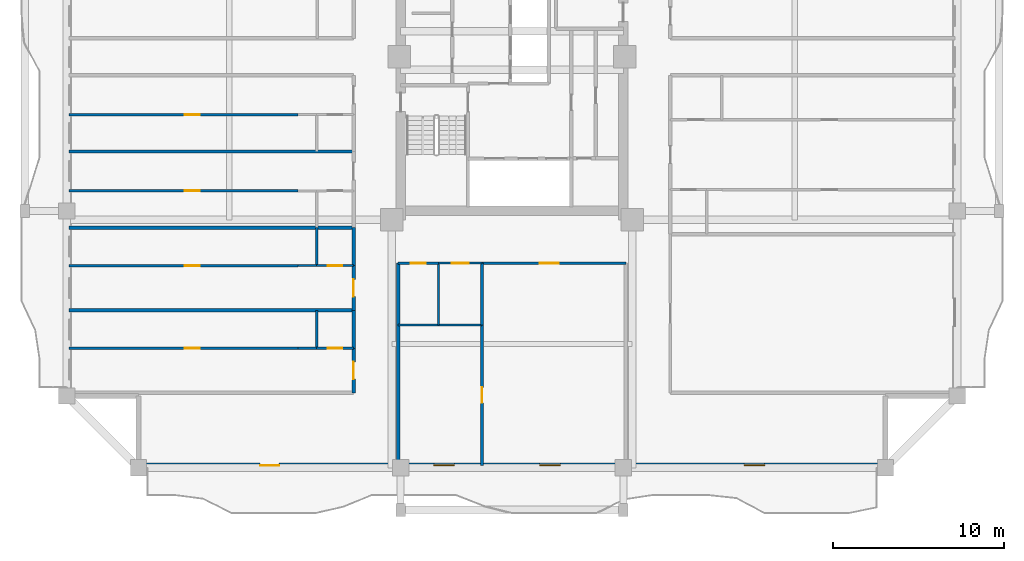
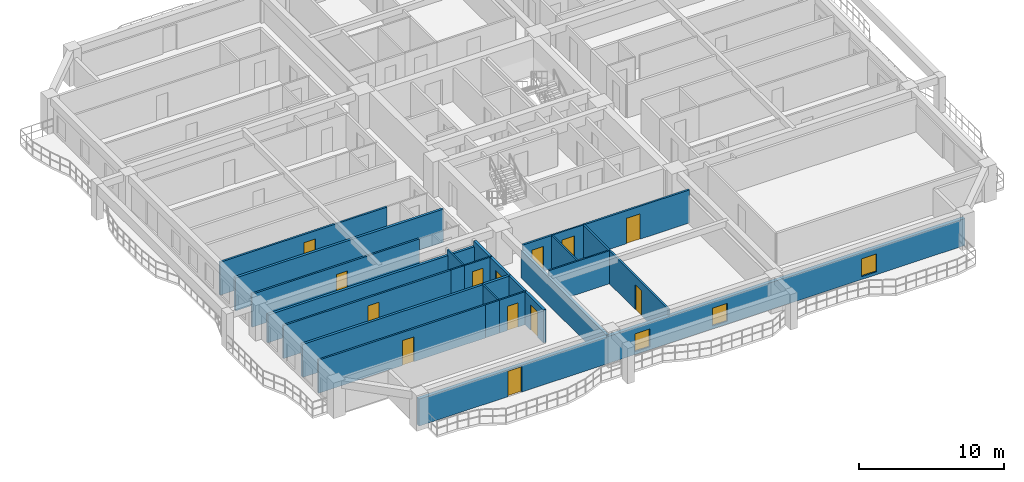
# One storey, part 2 of 13: 26 walls, 13 doors, 3 windows, 16 openings.
"""IFC4 building model written with IfcOpenShell, lengths in metres."""

import ifcopenshell
import ifcopenshell.guid

model = None  # the IFC model being written
_history = None  # IfcOwnerHistory: only IFC2X3 demands one
_inside = {}  # id of a spatial element -> (the spatial element, [elements in it])
_under = {}  # id of a project, library or spatial element -> (it, [spatial elements below it])
_declared = {}  # id of a project -> (the project, [libraries it declares])
_typed = {}  # id of a type object -> (the type object, [elements of that type])
_made_of = {}  # id of a material, layer set ... -> (it, [elements and type objects made of it])


def new_model(schema):
    """Start an empty IFC model of exactly this schema.

    Asked for "IFC4X3", IfcOpenShell would pick the latest addendum, in which some entities
    have other attributes; the version numbers below select the first issue.
    IFC2X3 requires an IfcOwnerHistory on every rooted entity: one is made here for all.
    """
    global model, _history
    if schema == "IFC4X3":
        model = ifcopenshell.file(schema_version=(4, 3, 0, 0))
    else:
        model = ifcopenshell.file(schema=schema)
    _inside.clear()
    _under.clear()
    _declared.clear()
    _typed.clear()
    _made_of.clear()
    _history = None
    if model.schema == "IFC2X3":
        org = make("IfcOrganization", Name="unknown")
        user = make(
            "IfcPersonAndOrganization",
            ThePerson=make("IfcPerson", FamilyName="unknown"),
            TheOrganization=org,
        )
        app = make(
            "IfcApplication",
            ApplicationDeveloper=org,
            Version="unknown",
            ApplicationFullName="unknown",
            ApplicationIdentifier="unknown",
        )
        _history = make(
            "IfcOwnerHistory",
            OwningUser=user,
            OwningApplication=app,
            ChangeAction="ADDED",
            CreationDate=0,
        )
    return model


def make(cls, **values):
    """One entity of the class cls with the attributes given. An attribute that is None is left unset."""
    return model.create_entity(
        cls, **{name: value for name, value in values.items() if value is not None}
    )


def rooted(cls, **values):
    """An entity with a GlobalId (a new one), such as an element, a storey or a relation."""
    return make(cls, GlobalId=ifcopenshell.guid.new(), OwnerHistory=_history, **values)


def si_unit(unit_type, name, prefix=None):
    """IfcSIUnit, for example si_unit("LENGTHUNIT", "METRE", prefix="MILLI")."""
    return make("IfcSIUnit", UnitType=unit_type, Prefix=prefix, Name=name)


def assignment(units):
    """IfcUnitAssignment: the units of a project."""
    return None if units is None else make("IfcUnitAssignment", Units=units)


def point(xyz):
    """IfcCartesianPoint."""
    return None if xyz is None else make("IfcCartesianPoint", Coordinates=xyz)


def direction(xyz):
    """IfcDirection."""
    return None if xyz is None else make("IfcDirection", DirectionRatios=xyz)


def frame(location, z_axis=None, x_axis=None):
    """IfcAxis2Placement3D, a coordinate frame: its origin and axes. An axis left out is left unset."""
    return make(
        "IfcAxis2Placement3D",
        Location=point(location),
        Axis=direction(z_axis),
        RefDirection=direction(x_axis),
    )


def frame_2d(location, x_axis=None):
    """IfcAxis2Placement2D, a coordinate frame in the plane: its origin and x axis."""
    return make(
        "IfcAxis2Placement2D", Location=point(location), RefDirection=direction(x_axis)
    )


def origin():
    """The frame at (0, 0, 0) with its axes left unset."""
    return frame((0.0, 0.0, 0.0))


def place(relative_to, where):
    """IfcLocalPlacement: puts the frame where relative to a parent placement (None: the world)."""
    return make(
        "IfcLocalPlacement", PlacementRelTo=relative_to, RelativePlacement=where
    )


def context(
    kind, dimensions, precision=None, world=None, true_north=None, identifier=None
):
    """IfcGeometricRepresentationContext, for example the 3D "Model" context."""
    return make(
        "IfcGeometricRepresentationContext",
        ContextIdentifier=identifier,
        ContextType=kind,
        CoordinateSpaceDimension=dimensions,
        Precision=precision,
        WorldCoordinateSystem=world,
        TrueNorth=true_north,
    )


def subcontext(parent, identifier, kind, view, scale=None):
    """IfcGeometricRepresentationSubContext, for example "Body" below "Model"."""
    return make(
        "IfcGeometricRepresentationSubContext",
        ContextIdentifier=identifier,
        ContextType=kind,
        ParentContext=parent,
        TargetScale=scale,
        TargetView=view,
    )


def project(units=None, contexts=None):
    """IfcProject with its units and contexts."""
    return rooted(
        "IfcProject",
        Name="project",
        RepresentationContexts=contexts,
        UnitsInContext=assignment(units),
    )


def spatial(cls, under=None, at=None, **own):
    """A site, building, storey or space (cls), placed at a placement, below another one or the project."""
    s = rooted(cls, ObjectPlacement=at, **own)
    if under is not None:
        _under.setdefault(under.id(), (under, []))[1].append(s)
    return s


def profile(cls, at=None, kind="AREA", **sizes):
    """A parametric profile (cls). Its sizes go by their IFC names, for example OverallWidth=200.0."""
    return make(cls, ProfileType=kind, Position=at, **sizes)


def rectangle(**sizes):
    """IfcRectangleProfileDef."""
    return profile("IfcRectangleProfileDef", **sizes)


def extrude(swept, where, along, depth):
    """IfcExtrudedAreaSolid: the profile swept, set in the frame where, extruded along a direction by depth."""
    return make(
        "IfcExtrudedAreaSolid",
        SweptArea=swept,
        Position=where,
        ExtrudedDirection=direction(along),
        Depth=depth,
    )


def shape(context_of_items, identifier, shape_type, items):
    """IfcShapeRepresentation: the items that make up one representation, for example the "Body"."""
    return make(
        "IfcShapeRepresentation",
        ContextOfItems=context_of_items,
        RepresentationIdentifier=identifier,
        RepresentationType=shape_type,
        Items=items,
    )


def source(mapping_origin, context_of_items, identifier, shape_type, items):
    """IfcRepresentationMap: a shape defined once, which mapped items show again and again."""
    return make(
        "IfcRepresentationMap",
        MappingOrigin=mapping_origin,
        MappedRepresentation=shape(context_of_items, identifier, shape_type, items),
    )


def transform(
    local_origin,
    x_axis=None,
    y_axis=None,
    z_axis=None,
    scale=None,
    scale2=None,
    scale3=None,
    uniform=True,
):
    """IfcCartesianTransformationOperator3D, or its non-uniform kind. x_axis, y_axis, z_axis: its Axis1, 2, 3."""
    if uniform:
        return make(
            "IfcCartesianTransformationOperator3D",
            Axis1=direction(x_axis),
            Axis2=direction(y_axis),
            LocalOrigin=point(local_origin),
            Scale=scale,
            Axis3=direction(z_axis),
        )
    return make(
        "IfcCartesianTransformationOperator3DnonUniform",
        Axis1=direction(x_axis),
        Axis2=direction(y_axis),
        LocalOrigin=point(local_origin),
        Scale=scale,
        Axis3=direction(z_axis),
        Scale2=scale2,
        Scale3=scale3,
    )


def mapped(mapping_source, mapping_target):
    """IfcMappedItem: shows the shape of a source again, moved by a transform."""
    return make(
        "IfcMappedItem", MappingSource=mapping_source, MappingTarget=mapping_target
    )


def material(Name=None, Category=None):
    """IfcMaterial."""
    return make("IfcMaterial", Name=Name, Category=Category)


def layer(
    of_material, thickness, ventilated=None, Name=None, Category=None, Priority=None
):
    """IfcMaterialLayer: one layer of a wall or slab, of a material (None: an air gap)."""
    return make(
        "IfcMaterialLayer",
        Material=of_material,
        LayerThickness=thickness,
        IsVentilated=ventilated,
        Name=Name,
        Category=Category,
        Priority=Priority,
    )


def layer_set(layers, Name=None):
    """IfcMaterialLayerSet."""
    return make("IfcMaterialLayerSet", MaterialLayers=layers, LayerSetName=Name)


def made_of(thing, what):
    """Note that an element or type object is made of a material, layer set ...; save() writes the relation."""
    if what is not None:
        _made_of.setdefault(what.id(), (what, []))[1].append(thing)
    return thing


def type_object(cls, material=None, **own):
    """A type object (cls), such as IfcWallType, which elements share."""
    return made_of(rooted(cls, **own), material)


def element(
    cls,
    number,
    at=None,
    inside=None,
    cuts=None,
    type_object=None,
    material=None,
    context=None,
    identifier="Body",
    shape_type=None,
    held_by="IfcProductDefinitionShape",
    body=None,
    shapes=None,
    **own,
):
    """One element of the class cls, such as IfcWall. Its Tag is "e" and its number.

    at: its placement. inside: the storey or other place that contains it. cuts: it is an
    opening in that element (IfcRelVoidsElement). A single representation is given by context,
    identifier, shape_type and body (its items); several are given by shapes. held_by: the class
    of the entity that holds the representations. save() writes the other relations.
    """
    e = rooted(cls, Tag="e%d" % number, ObjectPlacement=at, **own)
    if body is not None:
        shapes = [shape(context, identifier, shape_type, body)]
    if shapes is not None:
        e.Representation = make(held_by, Representations=shapes)
    if inside is not None:
        _inside.setdefault(inside.id(), (inside, []))[1].append(e)
    if cuts is not None:
        rooted(
            "IfcRelVoidsElement", RelatingBuildingElement=cuts, RelatedOpeningElement=e
        )
    if type_object is not None:
        _typed.setdefault(type_object.id(), (type_object, []))[1].append(e)
    return made_of(e, material)


def fill(opening, filler):
    """IfcRelFillsElement: the door or window that sits in an opening."""
    return rooted(
        "IfcRelFillsElement",
        RelatingOpeningElement=opening,
        RelatedBuildingElement=filler,
    )


def aggregate(whole, parts):
    """IfcRelAggregates: a whole, such as a stair, and the parts it consists of."""
    return rooted("IfcRelAggregates", RelatingObject=whole, RelatedObjects=parts)


def save(model, path):
    """Write the relations noted so far, then the file.

    IfcRelAggregates (storeys below a building ...), IfcRelContainedInSpatialStructure (elements
    in a storey), IfcRelDefinesByType, IfcRelAssociatesMaterial and IfcRelDeclares: one each for
    every whole, place, type object, material and project.
    """
    for whole, parts in _under.values():
        aggregate(whole, parts)
    for where, things in _inside.values():
        rooted(
            "IfcRelContainedInSpatialStructure",
            RelatedElements=things,
            RelatingStructure=where,
        )
    for kind, things in _typed.values():
        rooted("IfcRelDefinesByType", RelatedObjects=things, RelatingType=kind)
    for what, things in _made_of.values():
        rooted("IfcRelAssociatesMaterial", RelatedObjects=things, RelatingMaterial=what)
    for by, libraries in _declared.values():
        rooted("IfcRelDeclares", RelatingContext=by, RelatedDefinitions=libraries)
    model.write(path)


model = new_model("IFC4")

# Units and contexts
model_context = context("Model", 3, precision=1e-05, world=origin(), true_north=direction((0.0, 1.0)))
body_context = subcontext(model_context, "Body", "Model", "MODEL_VIEW")
ifc_project = project(units=[si_unit("LENGTHUNIT", "METRE"), si_unit("AREAUNIT", "SQUARE_METRE"), si_unit("VOLUMEUNIT", "CUBIC_METRE"), si_unit("PLANEANGLEUNIT", "RADIAN"), si_unit("MASSUNIT", "GRAM", prefix="KILO")], contexts=[model_context])

# Site, building, storey
site_placement = place(None, origin())
site = spatial("IfcSite", under=ifc_project, at=site_placement, CompositionType="ELEMENT")
building_placement = place(site_placement, origin())
building = spatial("IfcBuilding", under=site, at=building_placement, Name="Saelheon Loggia Tower", CompositionType="ELEMENT")
storey_placement = place(building_placement, frame((0.0, 0.0, 132.75)))
storey = spatial("IfcBuildingStorey", under=building, at=storey_placement, Name="L42", CompositionType="ELEMENT", Elevation=132.75)

# Wall, openings, windows, door
ifc_material_1 = material(Name="Architectural Precast Concrete C40/50", Category="concrete")
ifc_layer_1 = layer(ifc_material_1, 0.280029296875)
ifc_layer_set_1 = layer_set([ifc_layer_1], Name="Architectural Precast Concrete C40/50")
wall_type_1 = type_object("IfcWallType", Name="Wall_Ext_Loggia_280", PredefinedType="SOLIDWALL", material=ifc_layer_set_1)
wall_1_placement = place(storey_placement, frame((16.199951171875, 3.139892578125, 0.0), z_axis=(0.0, 0.0, 1.0), x_axis=(1.0, 0.0, 0.0)))
wall_1 = element("IfcWall", 1, at=wall_1_placement, inside=storey, type_object=wall_type_1, Name="L42 South Loggia Inner Wall", PredefinedType="SOLIDWALL", context=body_context, shape_type="SweptSolid", body=[
    extrude(rectangle(XDim=43.60009765625, YDim=0.280029296875, at=frame_2d((21.800048828125, 0.0))), origin(), (0.0, 0.0, 1.0), 2.280029296875),
])
opening_1_placement = place(wall_1_placement, frame((8.2001953125, 0.0, 0.0), z_axis=(0.0, 0.0, 1.0), x_axis=(-1.0, 0.0, 0.0)))
opening_1 = element("IfcOpeningElement", 2, at=opening_1_placement, cuts=wall_1, Name="Opening TD1", PredefinedType="OPENING", context=body_context, shape_type="SweptSolid", body=[
    extrude(rectangle(XDim=1.10009765625, YDim=2.14990234375, at=frame_2d((0.550048828125, 1.074951171875))), frame((0.0, 0.152099609375, 0.0), z_axis=(0.0, -1.0, 0.0), x_axis=(1.0, 0.0, 0.0)), (0.0, 0.0, 1.0), 0.303955078125),
])
opening_2_placement = place(wall_1_placement, frame((17.232421875, 0.0, 0.25)))
opening_2 = element("IfcOpeningElement", 3, at=opening_2_placement, cuts=wall_1, Name="Opening WN-03", PredefinedType="OPENING", context=body_context, shape_type="SweptSolid", body=[
    extrude(rectangle(XDim=1.199951171875, YDim=1.5, at=frame_2d((0.60009765625, 0.75))), frame((0.0, 0.152099609375, 0.0), z_axis=(0.0, -1.0, 0.0), x_axis=(1.0, 0.0, 0.0)), (0.0, 0.0, 1.0), 0.303955078125),
])
opening_3_placement = place(wall_1_placement, frame((23.41748046875, 0.0, 0.25)))
opening_3 = element("IfcOpeningElement", 4, at=opening_3_placement, cuts=wall_1, Name="Opening WN-03", PredefinedType="OPENING", context=body_context, shape_type="SweptSolid", body=[
    extrude(rectangle(XDim=1.199951171875, YDim=1.5, at=frame_2d((0.60009765625, 0.75))), frame((0.0, 0.152099609375, 0.0), z_axis=(0.0, -1.0, 0.0), x_axis=(1.0, 0.0, 0.0)), (0.0, 0.0, 1.0), 0.303955078125),
])
opening_4_placement = place(wall_1_placement, frame((35.35009765625, 0.0, 0.25)))
opening_4 = element("IfcOpeningElement", 5, at=opening_4_placement, cuts=wall_1, Name="Opening WN-03", PredefinedType="OPENING", context=body_context, shape_type="SweptSolid", body=[
    extrude(rectangle(XDim=1.199951171875, YDim=1.5, at=frame_2d((0.60009765625, 0.75))), frame((0.0, 0.152099609375, 0.0), z_axis=(0.0, -1.0, 0.0), x_axis=(1.0, 0.0, 0.0)), (0.0, 0.0, 1.0), 0.303955078125),
])
ifc_material_2 = material(Name="Thermal-Break Aluminium and Triple Low-E Glass", Category="aluminium")
window_type = type_object("IfcWindowType", Name="Win_Bedroom_1200x1500", PartitioningType="SINGLE_PANEL", PredefinedType="WINDOW", material=ifc_material_2)
shared_shape_1 = source(origin(), body_context, "Body", "SweptSolid", [
    extrude(rectangle(XDim=1.199951171875, YDim=1.5, at=frame_2d((0.60009765625, 0.75))), frame((0.0, 0.030029296875, 0.0), z_axis=(0.0, -1.0, 0.0), x_axis=(1.0, 0.0, 0.0)), (0.0, 0.0, 1.0), 0.06005859375),
])
window_1_placement = place(opening_2_placement, origin())
window_1 = element("IfcWindow", 6, at=window_1_placement, inside=storey, type_object=window_type, Name="L42 S Dwelling Window 2", OverallHeight=1.5, OverallWidth=1.199951171875, PartitioningType="SINGLE_PANEL", PredefinedType="WINDOW", context=body_context, shape_type="MappedRepresentation", body=[
    mapped(shared_shape_1, transform((0.0, 0.0, 0.0), scale=1.0)),
])
fill(opening_2, window_1)
window_2_placement = place(opening_3_placement, origin())
window_2 = element("IfcWindow", 7, at=window_2_placement, inside=storey, type_object=window_type, Name="L42 S Dwelling Window 3", OverallHeight=1.5, OverallWidth=1.199951171875, PartitioningType="SINGLE_PANEL", PredefinedType="WINDOW", context=body_context, shape_type="MappedRepresentation", body=[
    mapped(shared_shape_1, transform((0.0, 0.0, 0.0), scale=1.0)),
])
fill(opening_3, window_2)
window_3_placement = place(opening_4_placement, origin())
window_3 = element("IfcWindow", 8, at=window_3_placement, inside=storey, type_object=window_type, Name="L42 S Dwelling Window 4", OverallHeight=1.5, OverallWidth=1.199951171875, PartitioningType="SINGLE_PANEL", PredefinedType="WINDOW", context=body_context, shape_type="MappedRepresentation", body=[
    mapped(shared_shape_1, transform((0.0, 0.0, 0.0), scale=1.0)),
])
fill(opening_4, window_3)
ifc_material_3 = material(Name="Thermal-Break Aluminium Glazed Door", Category="aluminium")
door_type_1 = type_object("IfcDoorType", Name="Door_Terrace_TD1", OperationType="NOTDEFINED", PredefinedType="DOOR", material=ifc_material_3)
shared_shape_2 = source(origin(), body_context, "Body", "SweptSolid", [
    extrude(rectangle(XDim=1.10009765625, YDim=2.14990234375, at=frame_2d((0.550048828125, 1.074951171875))), frame((0.0, 0.02490234375, 0.0), z_axis=(0.0, -1.0, 0.0), x_axis=(1.0, 0.0, 0.0)), (0.0, 0.0, 1.0), 0.050048828125),
])
door_1_placement = place(opening_1_placement, origin())
door_1 = element("IfcDoor", 9, at=door_1_placement, inside=storey, type_object=door_type_1, Name="L42 S Loggia Access Door", OperationType="SINGLE_SWING_LEFT", OverallHeight=2.14990234375, OverallWidth=1.10009765625, PredefinedType="DOOR", context=body_context, shape_type="MappedRepresentation", body=[
    mapped(shared_shape_2, transform((0.0, 0.0, 0.0), scale=1.0)),
])
fill(opening_1, door_1)

# Wall
ifc_material_4 = material(Name="Lightweight Autoclaved Aerated Concrete Block and Acoustic Gypsum", Category="concrete")
ifc_layer_2 = layer(ifc_material_4, 0.14990234375)
ifc_layer_set_2 = layer_set([ifc_layer_2], Name="Lightweight Autoclaved Aerated Concrete Block and Acoustic Gypsum")
wall_type_2 = type_object("IfcWallType", Name="Wall_Part_150", PredefinedType="PARTITIONING", material=ifc_layer_set_2)
wall_2_placement = place(storey_placement, frame((36.25, 14.949951171875, 0.0), z_axis=(0.0, 0.0, 1.0), x_axis=(0.0, -1.0, 0.0)))
element("IfcWall", 10, at=wall_2_placement, inside=storey, type_object=wall_type_2, Name="L42 S Partition U04", PredefinedType="PARTITIONING", context=body_context, shape_type="SweptSolid", body=[
    extrude(rectangle(XDim=3.599853515625, YDim=0.14990234375, at=frame_2d((1.7998046875, 0.0))), origin(), (0.0, 0.0, 1.0), 2.7900390625),
])

# Wall, opening, door
wall_3_placement = place(storey_placement, frame((36.25, 11.35009765625, 0.0), z_axis=(0.0, 0.0, 1.0), x_axis=(0.0, -1.0, 0.0)))
wall_3 = element("IfcWall", 11, at=wall_3_placement, inside=storey, type_object=wall_type_2, Name="L42 S Partition U05", PredefinedType="PARTITIONING", context=body_context, shape_type="SweptSolid", body=[
    extrude(rectangle(XDim=8.2001953125, YDim=0.14990234375, at=frame_2d((4.10009765625, 0.0))), origin(), (0.0, 0.0, 1.0), 2.7900390625),
])
opening_5_placement = place(wall_3_placement, frame((3.64990234375, 0.0, 0.0)))
opening_5 = element("IfcOpeningElement", 12, at=opening_5_placement, cuts=wall_3, Name="Opening D-IN2", PredefinedType="OPENING", context=body_context, shape_type="SweptSolid", body=[
    extrude(rectangle(XDim=0.89990234375, YDim=2.10009765625, at=frame_2d((0.449951171875, 1.050048828125))), frame((0.0, 0.0869140625, 0.0), z_axis=(0.0, -1.0, 0.0), x_axis=(1.0, 0.0, 0.0)), (0.0, 0.0, 1.0), 0.173828125),
])
ifc_material_5 = material(Name="Engineered Oak Flush Door", Category="timber")
door_type_2 = type_object("IfcDoorType", Name="Door_Int_900", OperationType="NOTDEFINED", PredefinedType="DOOR", material=ifc_material_5)
shared_shape_3 = source(origin(), body_context, "Body", "SweptSolid", [
    extrude(rectangle(XDim=0.89990234375, YDim=2.10009765625, at=frame_2d((0.449951171875, 1.050048828125))), frame((0.0, 0.02490234375, 0.0), z_axis=(0.0, -1.0, 0.0), x_axis=(1.0, 0.0, 0.0)), (0.0, 0.0, 1.0), 0.050048828125),
])
door_2_placement = place(opening_5_placement, origin())
door_2 = element("IfcDoor", 13, at=door_2_placement, inside=storey, type_object=door_type_2, Name="L42 Reading Alcove Door", OperationType="SINGLE_SWING_RIGHT", OverallHeight=2.10009765625, OverallWidth=0.89990234375, PredefinedType="DOOR", context=body_context, shape_type="MappedRepresentation", body=[
    mapped(shared_shape_3, transform((0.0, 0.0, 0.0), scale=1.0)),
])
fill(opening_5, door_2)

wall_4_placement = place(storey_placement, frame((31.35009765625, 14.949951171875, 0.0), z_axis=(0.0, 0.0, 1.0), x_axis=(1.0, 0.0, 0.0)))
wall_4 = element("IfcWall", 14, at=wall_4_placement, inside=storey, type_object=wall_type_2, Name="L42 S Partition V07", PredefinedType="PARTITIONING", context=body_context, shape_type="SweptSolid", body=[
    extrude(rectangle(XDim=2.349853515625, YDim=0.14990234375, at=frame_2d((1.1748046875, 0.0))), origin(), (0.0, 0.0, 1.0), 2.7900390625),
])
opening_6_placement = place(wall_4_placement, frame((0.72509765625, 0.0, 0.0)))
opening_6 = element("IfcOpeningElement", 15, at=opening_6_placement, cuts=wall_4, Name="Opening D-IN2", PredefinedType="OPENING", context=body_context, shape_type="SweptSolid", body=[
    extrude(rectangle(XDim=0.89990234375, YDim=2.10009765625, at=frame_2d((0.449951171875, 1.050048828125))), frame((0.0, 0.0869140625, 0.0), z_axis=(0.0, -1.0, 0.0), x_axis=(1.0, 0.0, 0.0)), (0.0, 0.0, 1.0), 0.173828125),
])
door_3_placement = place(opening_6_placement, origin())
door_3 = element("IfcDoor", 16, at=door_3_placement, inside=storey, type_object=door_type_2, Name="L42 Community Pantry Door", OperationType="SINGLE_SWING_LEFT", OverallHeight=2.10009765625, OverallWidth=0.89990234375, PredefinedType="DOOR", context=body_context, shape_type="MappedRepresentation", body=[
    mapped(shared_shape_3, transform((0.0, 0.0, 0.0), scale=1.0)),
])
fill(opening_6, door_3)

wall_5_placement = place(storey_placement, frame((36.25, 14.949951171875, 0.0), z_axis=(0.0, 0.0, 1.0), x_axis=(1.0, 0.0, 0.0)))
wall_5 = element("IfcWall", 17, at=wall_5_placement, inside=storey, type_object=wall_type_2, Name="L42 S Partition V09", PredefinedType="PARTITIONING", context=body_context, shape_type="SweptSolid", body=[
    extrude(rectangle(XDim=8.39990234375, YDim=0.14990234375, at=frame_2d((4.199951171875, 0.0))), origin(), (0.0, 0.0, 1.0), 2.7900390625),
])
opening_7_placement = place(wall_5_placement, frame((3.367431640625, 0.0, 0.0)))
opening_7 = element("IfcOpeningElement", 18, at=opening_7_placement, cuts=wall_5, Name="Opening D-FD2", PredefinedType="OPENING", context=body_context, shape_type="SweptSolid", body=[
    extrude(rectangle(XDim=1.10009765625, YDim=2.14990234375, at=frame_2d((0.550048828125, 1.074951171875))), frame((0.0, 0.0869140625, 0.0), z_axis=(0.0, -1.0, 0.0), x_axis=(1.0, 0.0, 0.0)), (0.0, 0.0, 1.0), 0.173828125),
])
ifc_material_6 = material(Name="Galvanised Steel Fire Door", Category="steel")
door_type_3 = type_object("IfcDoorType", Name="Door_Fire_FD60_1100", OperationType="NOTDEFINED", PredefinedType="DOOR", material=ifc_material_6)
door_4_placement = place(opening_7_placement, origin())
door_4 = element("IfcDoor", 19, at=door_4_placement, inside=storey, type_object=door_type_3, Name="L42 Sky Community Club Hall Door A", OperationType="SINGLE_SWING_LEFT", OverallHeight=2.14990234375, OverallWidth=1.10009765625, PredefinedType="DOOR", context=body_context, shape_type="MappedRepresentation", body=[
    mapped(shared_shape_2, transform((0.0, 0.0, 0.0), scale=1.0)),
])
fill(opening_7, door_4)

wall_6_placement = place(storey_placement, frame((25.510009765625, 9.98291015625, 0.0), z_axis=(0.0, 0.0, 1.0), x_axis=(-1.0, 0.0, 0.0)))
wall_6 = element("IfcWall", 20, at=wall_6_placement, inside=storey, type_object=wall_type_2, Name="L42 WS Partition U08", PredefinedType="PARTITIONING", context=body_context, shape_type="SweptSolid", body=[
    extrude(rectangle(XDim=13.360107421875, YDim=0.14990234375, at=frame_2d((6.68017578125, 0.0))), origin(), (0.0, 0.0, 1.0), 2.7900390625),
])
opening_8_placement = place(wall_6_placement, frame((5.730712890625, 0.0, 0.0)))
opening_8 = element("IfcOpeningElement", 21, at=opening_8_placement, cuts=wall_6, Name="Opening D-IN2", PredefinedType="OPENING", context=body_context, shape_type="SweptSolid", body=[
    extrude(rectangle(XDim=0.89990234375, YDim=2.10009765625, at=frame_2d((0.449951171875, 1.050048828125))), frame((0.0, 0.0869140625, 0.0), z_axis=(0.0, -1.0, 0.0), x_axis=(1.0, 0.0, 0.0)), (0.0, 0.0, 1.0), 0.173828125),
])
door_5_placement = place(opening_8_placement, origin())
door_5 = element("IfcDoor", 22, at=door_5_placement, inside=storey, type_object=door_type_2, Name="Unit U01 Kitchen Door", OperationType="SINGLE_SWING_LEFT", OverallHeight=2.10009765625, OverallWidth=0.89990234375, PredefinedType="DOOR", context=body_context, shape_type="MappedRepresentation", body=[
    mapped(shared_shape_3, transform((0.0, 0.0, 0.0), scale=1.0)),
])
fill(opening_8, door_5)

wall_7_placement = place(storey_placement, frame((25.510009765625, 14.803466796875, 0.0), z_axis=(0.0, 0.0, 1.0), x_axis=(-1.0, 0.0, 0.0)))
wall_7 = element("IfcWall", 23, at=wall_7_placement, inside=storey, type_object=wall_type_2, Name="L42 WS Partition U15", PredefinedType="PARTITIONING", context=body_context, shape_type="SweptSolid", body=[
    extrude(rectangle(XDim=13.360107421875, YDim=0.14990234375, at=frame_2d((6.68017578125, 0.0))), origin(), (0.0, 0.0, 1.0), 2.7900390625),
])
opening_9_placement = place(wall_7_placement, frame((5.730712890625, 0.0, 0.0)))
opening_9 = element("IfcOpeningElement", 24, at=opening_9_placement, cuts=wall_7, Name="Opening D-IN2", PredefinedType="OPENING", context=body_context, shape_type="SweptSolid", body=[
    extrude(rectangle(XDim=0.89990234375, YDim=2.10009765625, at=frame_2d((0.449951171875, 1.050048828125))), frame((0.0, 0.0869140625, 0.0), z_axis=(0.0, -1.0, 0.0), x_axis=(1.0, 0.0, 0.0)), (0.0, 0.0, 1.0), 0.173828125),
])
door_6_placement = place(opening_9_placement, origin())
door_6 = element("IfcDoor", 25, at=door_6_placement, inside=storey, type_object=door_type_2, Name="Unit U02 Kitchen Door", OperationType="SINGLE_SWING_RIGHT", OverallHeight=2.10009765625, OverallWidth=0.89990234375, PredefinedType="DOOR", context=body_context, shape_type="MappedRepresentation", body=[
    mapped(shared_shape_3, transform((0.0, 0.0, 0.0), scale=1.0)),
])
fill(opening_9, door_6)

wall_8_placement = place(storey_placement, frame((25.510009765625, 19.1708984375, 0.0), z_axis=(0.0, 0.0, 1.0), x_axis=(-1.0, 0.0, 0.0)))
wall_8 = element("IfcWall", 26, at=wall_8_placement, inside=storey, type_object=wall_type_2, Name="L42 WS Partition U22", PredefinedType="PARTITIONING", context=body_context, shape_type="SweptSolid", body=[
    extrude(rectangle(XDim=13.360107421875, YDim=0.14990234375, at=frame_2d((6.68017578125, 0.0))), origin(), (0.0, 0.0, 1.0), 2.7900390625),
])
opening_10_placement = place(wall_8_placement, frame((5.730712890625, 0.0, 0.0)))
opening_10 = element("IfcOpeningElement", 27, at=opening_10_placement, cuts=wall_8, Name="Opening D-IN2", PredefinedType="OPENING", context=body_context, shape_type="SweptSolid", body=[
    extrude(rectangle(XDim=0.89990234375, YDim=2.10009765625, at=frame_2d((0.449951171875, 1.050048828125))), frame((0.0, 0.0869140625, 0.0), z_axis=(0.0, -1.0, 0.0), x_axis=(1.0, 0.0, 0.0)), (0.0, 0.0, 1.0), 0.173828125),
])
door_7_placement = place(opening_10_placement, origin())
door_7 = element("IfcDoor", 28, at=door_7_placement, inside=storey, type_object=door_type_2, Name="Unit U03 Kitchen Door", OperationType="SINGLE_SWING_LEFT", OverallHeight=2.10009765625, OverallWidth=0.89990234375, PredefinedType="DOOR", context=body_context, shape_type="MappedRepresentation", body=[
    mapped(shared_shape_3, transform((0.0, 0.0, 0.0), scale=1.0)),
])
fill(opening_10, door_7)

wall_9_placement = place(storey_placement, frame((25.510009765625, 23.620361328125, 0.0), z_axis=(0.0, 0.0, 1.0), x_axis=(-1.0, 0.0, 0.0)))
wall_9 = element("IfcWall", 29, at=wall_9_placement, inside=storey, type_object=wall_type_2, Name="L42 WS Partition U29", PredefinedType="PARTITIONING", context=body_context, shape_type="SweptSolid", body=[
    extrude(rectangle(XDim=13.360107421875, YDim=0.14990234375, at=frame_2d((6.68017578125, 0.0))), origin(), (0.0, 0.0, 1.0), 2.7900390625),
])
opening_11_placement = place(wall_9_placement, frame((5.730712890625, 0.0, 0.0)))
opening_11 = element("IfcOpeningElement", 30, at=opening_11_placement, cuts=wall_9, Name="Opening D-IN2", PredefinedType="OPENING", context=body_context, shape_type="SweptSolid", body=[
    extrude(rectangle(XDim=0.89990234375, YDim=2.10009765625, at=frame_2d((0.449951171875, 1.050048828125))), frame((0.0, 0.0869140625, 0.0), z_axis=(0.0, -1.0, 0.0), x_axis=(1.0, 0.0, 0.0)), (0.0, 0.0, 1.0), 0.173828125),
])
door_8_placement = place(opening_11_placement, origin())
door_8 = element("IfcDoor", 31, at=door_8_placement, inside=storey, type_object=door_type_2, Name="Unit U04 Kitchen Door", OperationType="SINGLE_SWING_RIGHT", OverallHeight=2.10009765625, OverallWidth=0.89990234375, PredefinedType="DOOR", context=body_context, shape_type="MappedRepresentation", body=[
    mapped(shared_shape_3, transform((0.0, 0.0, 0.0), scale=1.0)),
])
fill(opening_11, door_8)

# Wall
ifc_material_7 = material(Name="Double Acoustic Stud and Fireboard Partition", Category="gypsum")
ifc_layer_3 = layer(ifc_material_7, 0.199951171875)
ifc_layer_set_3 = layer_set([ifc_layer_3], Name="Double Acoustic Stud and Fireboard Partition")
wall_type_3 = type_object("IfcWallType", Name="Wall_Party_200", PredefinedType="PARTITIONING", material=ifc_layer_set_3)
wall_10_placement = place(storey_placement, frame((31.35009765625, 14.949951171875, 0.0), z_axis=(0.0, 0.0, 1.0), x_axis=(0.0, -1.0, 0.0)))
element("IfcWall", 32, at=wall_10_placement, inside=storey, type_object=wall_type_3, Name="L42 S Partition U01", PredefinedType="PARTITIONING", context=body_context, shape_type="SweptSolid", body=[
    extrude(rectangle(XDim=11.800048828125, YDim=0.199951171875, at=frame_2d((5.89990234375, 0.0))), origin(), (0.0, 0.0, 1.0), 2.340087890625),
])

# Wall, opening, door
wall_11_placement = place(storey_placement, frame((28.75, 7.3798828125, 0.0), z_axis=(0.0, 0.0, 1.0), x_axis=(0.0, 1.0, 0.0)))
wall_11 = element("IfcWall", 33, at=wall_11_placement, inside=storey, type_object=wall_type_3, Name="L42 WS Partition V03", PredefinedType="PARTITIONING", context=body_context, shape_type="SweptSolid", body=[
    extrude(rectangle(XDim=2.60302734375, YDim=0.199951171875, at=frame_2d((1.301513671875, 0.0))), origin(), (0.0, 0.0, 1.0), 2.7900390625),
])
opening_12_placement = place(wall_11_placement, frame((0.801513671875, 0.0, 0.0)))
opening_12 = element("IfcOpeningElement", 34, at=opening_12_placement, cuts=wall_11, Name="Opening D-FD1", PredefinedType="OPENING", context=body_context, shape_type="SweptSolid", body=[
    extrude(rectangle(XDim=1.0, YDim=2.14990234375, at=frame_2d((0.5, 1.074951171875))), frame((0.0, 0.112060546875, 0.0), z_axis=(0.0, -1.0, 0.0), x_axis=(1.0, 0.0, 0.0)), (0.0, 0.0, 1.0), 0.223876953125),
])
ifc_material_8 = material(Name="Fire-Rated Engineered Timber Entrance Door", Category="wood")
door_type_4 = type_object("IfcDoorType", Name="Door_Flat_FD30S", OperationType="NOTDEFINED", PredefinedType="DOOR", material=ifc_material_8)
shared_shape_4 = source(origin(), body_context, "Body", "SweptSolid", [
    extrude(rectangle(XDim=1.0, YDim=2.14990234375, at=frame_2d((0.5, 1.074951171875))), frame((0.0, 0.02490234375, 0.0), z_axis=(0.0, -1.0, 0.0), x_axis=(1.0, 0.0, 0.0)), (0.0, 0.0, 1.0), 0.050048828125),
])
door_9_placement = place(opening_12_placement, origin())
door_9 = element("IfcDoor", 35, at=door_9_placement, inside=storey, type_object=door_type_4, Name="Unit U01 Entrance Door", OperationType="SINGLE_SWING_LEFT", OverallHeight=2.14990234375, OverallWidth=1.0, PredefinedType="DOOR", context=body_context, shape_type="MappedRepresentation", body=[
    mapped(shared_shape_4, transform((0.0, 0.0, 0.0), scale=1.0)),
])
fill(opening_12, door_9)

# Walls
wall_12_placement = place(storey_placement, frame((28.75, 9.98291015625, 0.0), z_axis=(0.0, 0.0, 1.0), x_axis=(0.0, 1.0, 0.0)))
element("IfcWall", 36, at=wall_12_placement, inside=storey, type_object=wall_type_3, Name="L42 WS Partition V04", PredefinedType="PARTITIONING", context=body_context, shape_type="SweptSolid", body=[
    extrude(rectangle(XDim=2.217529296875, YDim=0.199951171875, at=frame_2d((1.10888671875, 0.0))), origin(), (0.0, 0.0, 1.0), 2.7900390625),
])
wall_13_placement = place(storey_placement, frame((28.75, 12.200439453125, 0.0), z_axis=(0.0, 0.0, 1.0), x_axis=(-1.0, 0.0, 0.0)))
element("IfcWall", 37, at=wall_13_placement, inside=storey, type_object=wall_type_3, Name="L42 WS Partition U09", PredefinedType="PARTITIONING", context=body_context, shape_type="SweptSolid", body=[
    extrude(rectangle(XDim=16.60009765625, YDim=0.199951171875, at=frame_2d((8.300048828125, 0.0))), origin(), (0.0, 0.0, 1.0), 2.7900390625),
])

# Wall, opening, door
wall_14_placement = place(storey_placement, frame((28.75, 12.200439453125, 0.0), z_axis=(0.0, 0.0, 1.0), x_axis=(0.0, 1.0, 0.0)))
wall_14 = element("IfcWall", 38, at=wall_14_placement, inside=storey, type_object=wall_type_3, Name="L42 WS Partition V10", PredefinedType="PARTITIONING", context=body_context, shape_type="SweptSolid", body=[
    extrude(rectangle(XDim=2.60302734375, YDim=0.199951171875, at=frame_2d((1.301513671875, 0.0))), origin(), (0.0, 0.0, 1.0), 2.7900390625),
])
opening_13_placement = place(wall_14_placement, frame((0.801513671875, 0.0, 0.0)))
opening_13 = element("IfcOpeningElement", 39, at=opening_13_placement, cuts=wall_14, Name="Opening D-FD1", PredefinedType="OPENING", context=body_context, shape_type="SweptSolid", body=[
    extrude(rectangle(XDim=1.0, YDim=2.14990234375, at=frame_2d((0.5, 1.074951171875))), frame((0.0, 0.112060546875, 0.0), z_axis=(0.0, -1.0, 0.0), x_axis=(1.0, 0.0, 0.0)), (0.0, 0.0, 1.0), 0.223876953125),
])
door_10_placement = place(opening_13_placement, origin())
door_10 = element("IfcDoor", 40, at=door_10_placement, inside=storey, type_object=door_type_4, Name="Unit U02 Entrance Door", OperationType="SINGLE_SWING_RIGHT", OverallHeight=2.14990234375, OverallWidth=1.0, PredefinedType="DOOR", context=body_context, shape_type="MappedRepresentation", body=[
    mapped(shared_shape_4, transform((0.0, 0.0, 0.0), scale=1.0)),
])
fill(opening_13, door_10)

# Walls
wall_15_placement = place(storey_placement, frame((28.75, 14.803466796875, 0.0), z_axis=(0.0, 0.0, 1.0), x_axis=(0.0, 1.0, 0.0)))
element("IfcWall", 41, at=wall_15_placement, inside=storey, type_object=wall_type_3, Name="L42 WS Partition V11", PredefinedType="PARTITIONING", context=body_context, shape_type="SweptSolid", body=[
    extrude(rectangle(XDim=2.21728515625, YDim=0.199951171875, at=frame_2d((1.108642578125, 0.0))), origin(), (0.0, 0.0, 1.0), 2.7900390625),
])
wall_16_placement = place(storey_placement, frame((28.75, 17.020751953125, 0.0), z_axis=(0.0, 0.0, 1.0), x_axis=(-1.0, 0.0, 0.0)))
element("IfcWall", 42, at=wall_16_placement, inside=storey, type_object=wall_type_3, Name="L42 WS Partition U16", PredefinedType="PARTITIONING", context=body_context, shape_type="SweptSolid", body=[
    extrude(rectangle(XDim=16.60009765625, YDim=0.199951171875, at=frame_2d((8.300048828125, 0.0))), origin(), (0.0, 0.0, 1.0), 2.340087890625),
])
wall_17_placement = place(storey_placement, frame((28.75, 21.470458984375, 0.0), z_axis=(0.0, 0.0, 1.0), x_axis=(-1.0, 0.0, 0.0)))
element("IfcWall", 43, at=wall_17_placement, inside=storey, type_object=wall_type_3, Name="L42 WS Partition U23", PredefinedType="PARTITIONING", context=body_context, shape_type="SweptSolid", body=[
    extrude(rectangle(XDim=16.60009765625, YDim=0.199951171875, at=frame_2d((8.300048828125, 0.0))), origin(), (0.0, 0.0, 1.0), 2.7900390625),
])
ifc_material_9 = material(Name="Moisture-Resistant Cement Board Partition", Category="gypsum")
ifc_layer_4 = layer(ifc_material_9, 0.1201171875)
ifc_layer_set_4 = layer_set([ifc_layer_4], Name="Moisture-Resistant Cement Board Partition")
wall_type_4 = type_object("IfcWallType", Name="Wall_WetPart_120", PredefinedType="PARTITIONING", material=ifc_layer_set_4)
wall_18_placement = place(storey_placement, frame((33.699951171875, 14.949951171875, 0.0), z_axis=(0.0, 0.0, 1.0), x_axis=(0.0, -1.0, 0.0)))
element("IfcWall", 44, at=wall_18_placement, inside=storey, type_object=wall_type_4, Name="L42 S Partition U03", PredefinedType="PARTITIONING", context=body_context, shape_type="SweptSolid", body=[
    extrude(rectangle(XDim=3.599853515625, YDim=0.1201171875, at=frame_2d((1.7998046875, 0.0))), origin(), (0.0, 0.0, 1.0), 2.7900390625),
])
wall_19_placement = place(storey_placement, frame((31.35009765625, 11.35009765625, 0.0), z_axis=(0.0, 0.0, 1.0), x_axis=(1.0, 0.0, 0.0)))
element("IfcWall", 45, at=wall_19_placement, inside=storey, type_object=wall_type_4, Name="L42 S Partition V06", PredefinedType="PARTITIONING", context=body_context, shape_type="SweptSolid", body=[
    extrude(rectangle(XDim=4.89990234375, YDim=0.1201171875, at=frame_2d((2.449951171875, 0.0))), origin(), (0.0, 0.0, 1.0), 2.7900390625),
])

# Wall, opening, door
wall_20_placement = place(storey_placement, frame((33.699951171875, 14.949951171875, 0.0), z_axis=(0.0, 0.0, 1.0), x_axis=(1.0, 0.0, 0.0)))
wall_20 = element("IfcWall", 46, at=wall_20_placement, inside=storey, type_object=wall_type_4, Name="L42 S Partition V08", PredefinedType="PARTITIONING", context=body_context, shape_type="SweptSolid", body=[
    extrude(rectangle(XDim=2.550048828125, YDim=0.1201171875, at=frame_2d((1.27490234375, 0.0))), origin(), (0.0, 0.0, 1.0), 2.7900390625),
])
opening_14_placement = place(wall_20_placement, frame((0.77490234375, 0.0, 0.0)))
opening_14 = element("IfcOpeningElement", 47, at=opening_14_placement, cuts=wall_20, Name="Opening D-AC1", PredefinedType="OPENING", context=body_context, shape_type="SweptSolid", body=[
    extrude(rectangle(XDim=1.0, YDim=2.10009765625, at=frame_2d((0.5, 1.050048828125))), frame((0.0, 0.072021484375, 0.0), z_axis=(0.0, -1.0, 0.0), x_axis=(1.0, 0.0, 0.0)), (0.0, 0.0, 1.0), 0.14404296875),
])
ifc_material_10 = material(Name="Accessible Laminate Flush Door", Category="timber")
door_type_5 = type_object("IfcDoorType", Name="Door_Acc_1000", OperationType="NOTDEFINED", PredefinedType="DOOR", material=ifc_material_10)
shared_shape_5 = source(origin(), body_context, "Body", "SweptSolid", [
    extrude(rectangle(XDim=1.0, YDim=2.10009765625, at=frame_2d((0.5, 1.050048828125))), frame((0.0, 0.02490234375, 0.0), z_axis=(0.0, -1.0, 0.0), x_axis=(1.0, 0.0, 0.0)), (0.0, 0.0, 1.0), 0.050048828125),
])
door_11_placement = place(opening_14_placement, origin())
door_11 = element("IfcDoor", 48, at=door_11_placement, inside=storey, type_object=door_type_5, Name="L42 Common Washroom Door", OperationType="SINGLE_SWING_RIGHT", OverallHeight=2.10009765625, OverallWidth=1.0, PredefinedType="DOOR", context=body_context, shape_type="MappedRepresentation", body=[
    mapped(shared_shape_5, transform((0.0, 0.0, 0.0), scale=1.0)),
])
fill(opening_14, door_11)

wall_21_placement = place(storey_placement, frame((28.75, 9.98291015625, 0.0), z_axis=(0.0, 0.0, 1.0), x_axis=(-1.0, 0.0, 0.0)))
wall_21 = element("IfcWall", 49, at=wall_21_placement, inside=storey, type_object=wall_type_4, Name="L42 WS Partition U05", PredefinedType="PARTITIONING", context=body_context, shape_type="SweptSolid", body=[
    extrude(rectangle(XDim=2.14990234375, YDim=0.1201171875, at=frame_2d((1.074951171875, 0.0))), origin(), (0.0, 0.0, 1.0), 2.7900390625),
])
opening_15_placement = place(wall_21_placement, frame((0.64990234375, 0.0, 0.0)))
opening_15 = element("IfcOpeningElement", 50, at=opening_15_placement, cuts=wall_21, Name="Opening D-BT1", PredefinedType="OPENING", context=body_context, shape_type="SweptSolid", body=[
    extrude(rectangle(XDim=0.85009765625, YDim=2.050048828125, at=frame_2d((0.425048828125, 1.02490234375))), frame((0.0, 0.072021484375, 0.0), z_axis=(0.0, -1.0, 0.0), x_axis=(1.0, 0.0, 0.0)), (0.0, 0.0, 1.0), 0.14404296875),
])
ifc_material_11 = material(Name="Moisture-Resistant Laminate Timber Door", Category="wood")
door_type_6 = type_object("IfcDoorType", Name="Door_Bath_850", OperationType="NOTDEFINED", PredefinedType="DOOR", material=ifc_material_11)
shared_shape_6 = source(origin(), body_context, "Body", "SweptSolid", [
    extrude(rectangle(XDim=0.85009765625, YDim=2.050048828125, at=frame_2d((0.425048828125, 1.02490234375))), frame((0.0, 0.02490234375, 0.0), z_axis=(0.0, -1.0, 0.0), x_axis=(1.0, 0.0, 0.0)), (0.0, 0.0, 1.0), 0.050048828125),
])
door_12_placement = place(opening_15_placement, origin())
door_12 = element("IfcDoor", 51, at=door_12_placement, inside=storey, type_object=door_type_6, Name="Unit U01 Bathroom Door", OperationType="SINGLE_SWING_RIGHT", OverallHeight=2.050048828125, OverallWidth=0.85009765625, PredefinedType="DOOR", context=body_context, shape_type="MappedRepresentation", body=[
    mapped(shared_shape_6, transform((0.0, 0.0, 0.0), scale=1.0)),
])
fill(opening_15, door_12)

# Walls
wall_22_placement = place(storey_placement, frame((26.60009765625, 9.98291015625, 0.0), z_axis=(0.0, 0.0, 1.0), x_axis=(-1.0, 0.0, 0.0)))
element("IfcWall", 52, at=wall_22_placement, inside=storey, type_object=wall_type_4, Name="L42 WS Partition U06", PredefinedType="PARTITIONING", context=body_context, shape_type="SweptSolid", body=[
    extrude(rectangle(XDim=1.090087890625, YDim=0.1201171875, at=frame_2d((0.544921875, 0.0))), origin(), (0.0, 0.0, 1.0), 2.7900390625),
])
wall_23_placement = place(storey_placement, frame((26.60009765625, 9.98291015625, 0.0), z_axis=(0.0, 0.0, 1.0), x_axis=(0.0, 1.0, 0.0)))
element("IfcWall", 53, at=wall_23_placement, inside=storey, type_object=wall_type_4, Name="L42 WS Partition V07", PredefinedType="PARTITIONING", context=body_context, shape_type="SweptSolid", body=[
    extrude(rectangle(XDim=2.217529296875, YDim=0.1201171875, at=frame_2d((1.10888671875, 0.0))), origin(), (0.0, 0.0, 1.0), 2.7900390625),
])

# Wall, opening, door
wall_24_placement = place(storey_placement, frame((28.75, 14.803466796875, 0.0), z_axis=(0.0, 0.0, 1.0), x_axis=(-1.0, 0.0, 0.0)))
wall_24 = element("IfcWall", 54, at=wall_24_placement, inside=storey, type_object=wall_type_4, Name="L42 WS Partition U12", PredefinedType="PARTITIONING", context=body_context, shape_type="SweptSolid", body=[
    extrude(rectangle(XDim=2.14990234375, YDim=0.1201171875, at=frame_2d((1.074951171875, 0.0))), origin(), (0.0, 0.0, 1.0), 2.7900390625),
])
opening_16_placement = place(wall_24_placement, frame((0.64990234375, 0.0, 0.0)))
opening_16 = element("IfcOpeningElement", 55, at=opening_16_placement, cuts=wall_24, Name="Opening D-BT1", PredefinedType="OPENING", context=body_context, shape_type="SweptSolid", body=[
    extrude(rectangle(XDim=0.85009765625, YDim=2.050048828125, at=frame_2d((0.425048828125, 1.02490234375))), frame((0.0, 0.072021484375, 0.0), z_axis=(0.0, -1.0, 0.0), x_axis=(1.0, 0.0, 0.0)), (0.0, 0.0, 1.0), 0.14404296875),
])
door_13_placement = place(opening_16_placement, origin())
door_13 = element("IfcDoor", 56, at=door_13_placement, inside=storey, type_object=door_type_6, Name="Unit U02 Bathroom Door", OperationType="SINGLE_SWING_LEFT", OverallHeight=2.050048828125, OverallWidth=0.85009765625, PredefinedType="DOOR", context=body_context, shape_type="MappedRepresentation", body=[
    mapped(shared_shape_6, transform((0.0, 0.0, 0.0), scale=1.0)),
])
fill(opening_16, door_13)

# Walls
wall_25_placement = place(storey_placement, frame((26.60009765625, 14.803466796875, 0.0), z_axis=(0.0, 0.0, 1.0), x_axis=(-1.0, 0.0, 0.0)))
element("IfcWall", 57, at=wall_25_placement, inside=storey, type_object=wall_type_4, Name="L42 WS Partition U13", PredefinedType="PARTITIONING", context=body_context, shape_type="SweptSolid", body=[
    extrude(rectangle(XDim=1.090087890625, YDim=0.1201171875, at=frame_2d((0.544921875, 0.0))), origin(), (0.0, 0.0, 1.0), 2.7900390625),
])
wall_26_placement = place(storey_placement, frame((26.60009765625, 14.803466796875, 0.0), z_axis=(0.0, 0.0, 1.0), x_axis=(0.0, 1.0, 0.0)))
element("IfcWall", 58, at=wall_26_placement, inside=storey, type_object=wall_type_4, Name="L42 WS Partition V14", PredefinedType="PARTITIONING", context=body_context, shape_type="SweptSolid", body=[
    extrude(rectangle(XDim=2.21728515625, YDim=0.1201171875, at=frame_2d((1.108642578125, 0.0))), origin(), (0.0, 0.0, 1.0), 2.7900390625),
])

save(model, "model.ifc")
